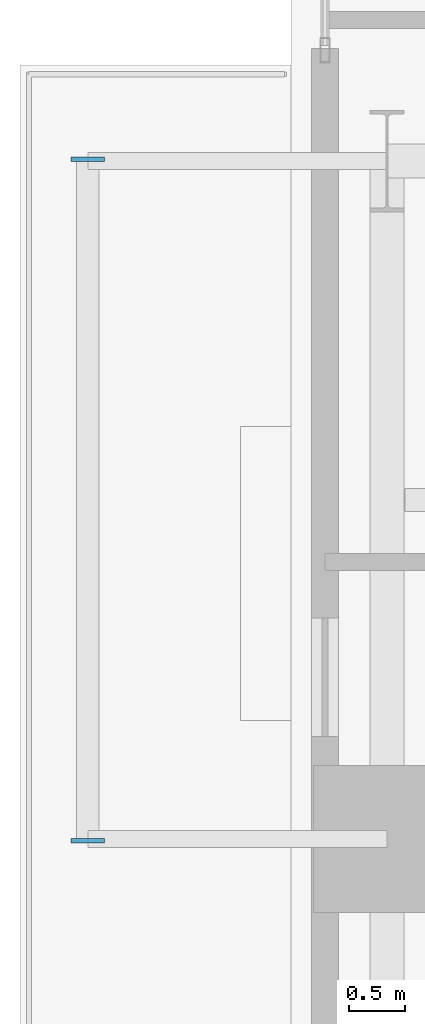
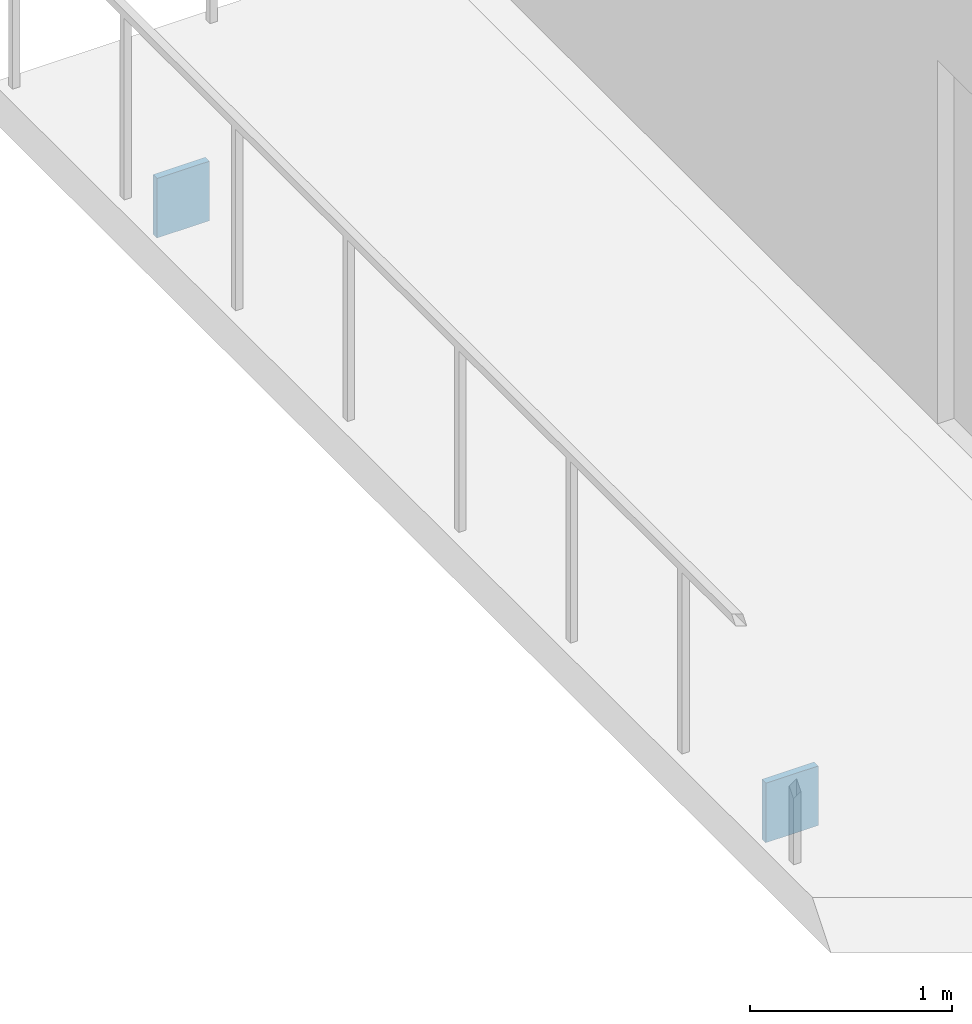
# One storey, part 20 of 27: 2 plates.
"""IFC4 building model written with IfcOpenShell, lengths in metres."""

from ifc_helpers import new_model, si_unit, direction, frame, origin, origin_2d, place, context, subcontext, project, spatial, rectangle, extrude, material, layer, layer_set, type_object, element, save


model = new_model("IFC4")

# Units and contexts
model_context = context("Model", 3, precision=1e-05, world=origin(), true_north=direction((0.0, 1.0)))
body_context = subcontext(model_context, "Body", "Model", "MODEL_VIEW")
ifc_project = project(units=[si_unit("LENGTHUNIT", "METRE"), si_unit("AREAUNIT", "SQUARE_METRE"), si_unit("VOLUMEUNIT", "CUBIC_METRE"), si_unit("PLANEANGLEUNIT", "RADIAN"), si_unit("MASSUNIT", "GRAM", prefix="KILO"), si_unit("THERMODYNAMICTEMPERATUREUNIT", "KELVIN"), si_unit("POWERUNIT", "WATT")], contexts=[model_context])

# Site, building, storey
site_placement = place(None, origin())
site = spatial("IfcSite", under=ifc_project, at=site_placement, CompositionType="ELEMENT")
building_placement = place(site_placement, origin())
building = spatial("IfcBuilding", under=site, at=building_placement, Name="Svarakhadi Broadcast Tower", CompositionType="ELEMENT")
storey_placement = place(building_placement, frame((0.0, 0.0, 59.699951171875)))
storey = spatial("IfcBuildingStorey", under=building, at=storey_placement, Name="L13", CompositionType="ELEMENT", Elevation=59.699951171875)

# Plates
ifc_material = material(Name="Steel S460ML (IS 2062 E450BR)", Category="steel")
ifc_layer = layer(ifc_material, 0.028076171875)
ifc_layer_set = layer_set([ifc_layer], Name="Steel S460ML (IS 2062 E450BR)")
plate_type = type_object("IfcPlateType", Name="Cap_Plate_CP02", PredefinedType="USERDEFINED", material=ifc_layer_set)
for number, where, z_axis, x_axis, name in (
    (1, (-1.800048828125, 35.135009765625, -0.580078125), (0.0, 0.0, 1.0), (1.0, 0.0, 0.0), "L13 Balcony Spandrel End Cap Plate 2F-A"),
    (2, (-1.800048828125, 41.1650390625, -0.580078125), (0.0, 0.0, 1.0), (1.0, 0.0, 0.0), "L13 Balcony Spandrel End Cap Plate 2F-B"),
):
    element("IfcPlate", number, at=place(storey_placement, frame(where, z_axis=z_axis, x_axis=x_axis)), inside=storey, type_object=plate_type, Name=name, ObjectType="FLANGE_PLATE", PredefinedType="USERDEFINED", context=body_context, shape_type="SweptSolid", body=[
        extrude(rectangle(XDim=0.300048828125, YDim=0.0400390625, at=origin_2d()), origin(), (0.0, 0.0, 1.0), 0.360107421875),
    ])

save(model, "model.ifc")
